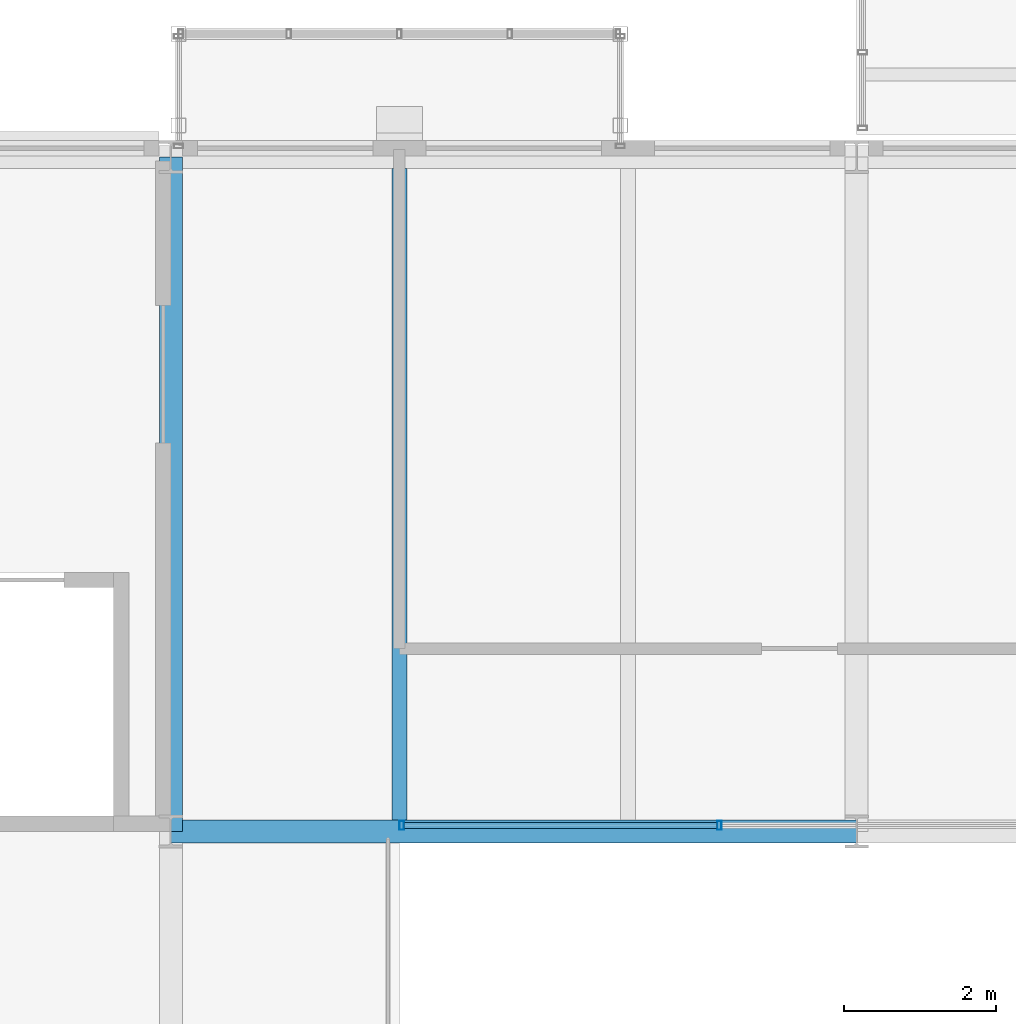
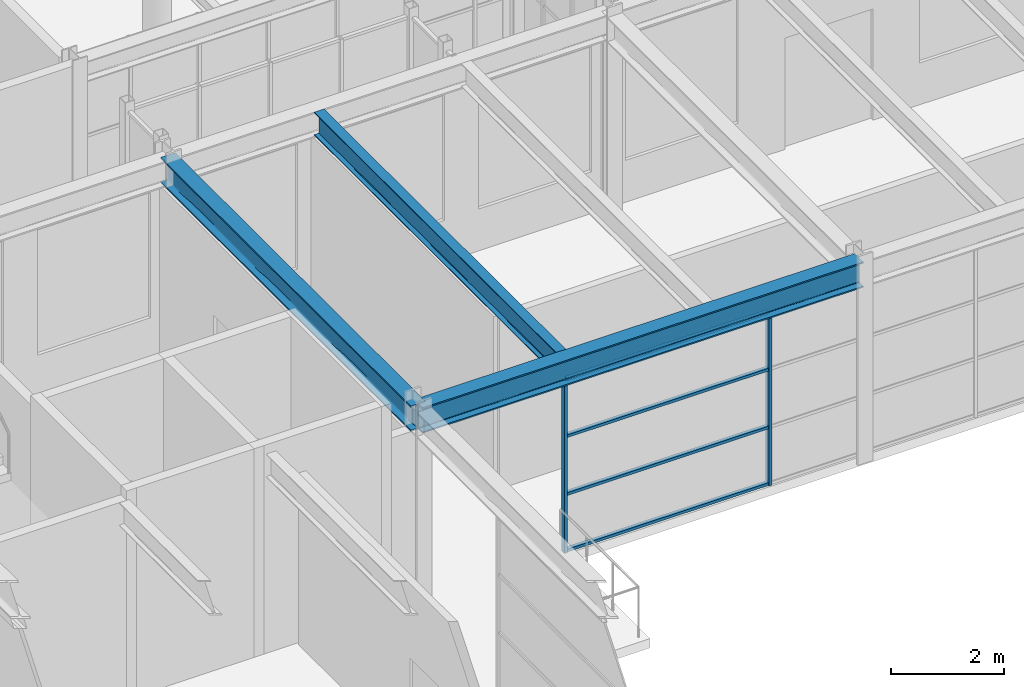
# One storey, part 42 of 149: 6 members, 3 beams, 1 element without a shape of its own.
"""IFC4 building model written with IfcOpenShell, lengths in metres."""

from ifc_helpers import new_model, si_unit, direction, frame, origin, origin_2d, place, context, subcontext, project, spatial, hollow_rectangle, i_section, extrude, material, material_profile, profile_set, type_object, element, aggregate, save


model = new_model("IFC4")

# Units and contexts
model_context = context("Model", 3, precision=1e-05, world=origin(), true_north=direction((0.0, 1.0)))
body_context = subcontext(model_context, "Body", "Model", "MODEL_VIEW")
ifc_project = project(units=[si_unit("LENGTHUNIT", "METRE"), si_unit("AREAUNIT", "SQUARE_METRE"), si_unit("VOLUMEUNIT", "CUBIC_METRE"), si_unit("PLANEANGLEUNIT", "RADIAN"), si_unit("MASSUNIT", "GRAM", prefix="KILO")], contexts=[model_context])

# Site, building, storey
site_placement = place(None, origin())
site = spatial("IfcSite", under=ifc_project, at=site_placement, CompositionType="ELEMENT")
building_placement = place(site_placement, origin())
building = spatial("IfcBuilding", under=site, at=building_placement, Name="Kallimachos Central Library", CompositionType="ELEMENT")
storey_placement = place(building_placement, frame((0.0, 0.0, 9.89990234375)))
storey = spatial("IfcBuildingStorey", under=building, at=storey_placement, Name="L02", CompositionType="ELEMENT", Elevation=9.89990234375)

# Curtain wall, members
ifc_material_1 = material(Name="Aluminium and laminated glass", Category="aluminium")
curtain_wall_type = type_object("IfcCurtainWallType", Name="Atrium glazed screen", PredefinedType="NOTDEFINED", material=ifc_material_1)
curtain_wall_placement = place(storey_placement, origin())
curtain_wall = element("IfcCurtainWall", 1, at=curtain_wall_placement, inside=storey, type_object=curtain_wall_type, Name="L02 atrium screen N", PredefinedType="NOTDEFINED")
ifc_material_2 = material(Name="Anodised aluminium", Category="aluminium")
ifc_material_profile_1 = material_profile(ifc_material_2, hollow_rectangle(XDim=0.06005859375, YDim=0.1201171875, WallThickness=0.00390625, at=origin_2d()), Name="ALU MULLION 60x120")
ifc_profile_set_1 = profile_set([ifc_material_profile_1], Name="Anodised aluminium")
member_type_1 = type_object("IfcMemberType", Name="Atrium screen mullion", PredefinedType="MULLION", material=ifc_profile_set_1)
member_1_placement = place(storey_placement, frame((77.530029296875, 75.080078125, 0.0), z_axis=(0.0, 0.0, 1.0), x_axis=(1.0, 0.0, 0.0)))
member_1 = element("IfcMember", 2, at=member_1_placement, type_object=member_type_1, Name="CW mullion 1", PredefinedType="MULLION", context=body_context, shape_type="SweptSolid", body=[
    extrude(hollow_rectangle(XDim=0.06005859375, YDim=0.1201171875, WallThickness=0.00390625, at=origin_2d()), origin(), (0.0, 0.0, 1.0), 3.75),
])
member_2_placement = place(storey_placement, frame((81.699951171875, 75.080078125, 0.0), z_axis=(0.0, 0.0, 1.0), x_axis=(1.0, 0.0, 0.0)))
member_2 = element("IfcMember", 3, at=member_2_placement, type_object=member_type_1, Name="CW mullion 2", PredefinedType="MULLION", context=body_context, shape_type="SweptSolid", body=[
    extrude(hollow_rectangle(XDim=0.06005859375, YDim=0.1201171875, WallThickness=0.00390625, at=origin_2d()), origin(), (0.0, 0.0, 1.0), 3.75),
])
ifc_material_3 = material(Name="Anodised aluminium", Category="aluminium")
ifc_material_profile_2 = material_profile(ifc_material_3, hollow_rectangle(XDim=0.06005859375, YDim=0.080078125, WallThickness=0.00390625, at=origin_2d()), Name="ALU TRANSOM 60x80")
ifc_profile_set_2 = profile_set([ifc_material_profile_2], Name="Anodised aluminium")
member_type_2 = type_object("IfcMemberType", Name="Atrium screen transom", PredefinedType="USERDEFINED", material=ifc_profile_set_2)
member_3_placement = place(storey_placement, frame((77.56005859375, 75.080078125, 0.030029296875), z_axis=(1.0, 0.0, 0.0), x_axis=(0.0, 0.0, 1.0)))
member_3 = element("IfcMember", 4, at=member_3_placement, type_object=member_type_2, Name="CW transom 1.1", ObjectType="TRANSOM", PredefinedType="USERDEFINED", context=body_context, shape_type="SweptSolid", body=[
    extrude(hollow_rectangle(XDim=0.06005859375, YDim=0.080078125, WallThickness=0.00390625, at=origin_2d()), origin(), (0.0, 0.0, 1.0), 4.10986328125),
])
member_4_placement = place(storey_placement, frame((77.56005859375, 75.080078125, 1.25), z_axis=(1.0, 0.0, 0.0), x_axis=(0.0, 0.0, 1.0)))
member_4 = element("IfcMember", 5, at=member_4_placement, type_object=member_type_2, Name="CW transom 1.2", ObjectType="TRANSOM", PredefinedType="USERDEFINED", context=body_context, shape_type="SweptSolid", body=[
    extrude(hollow_rectangle(XDim=0.06005859375, YDim=0.080078125, WallThickness=0.00390625, at=origin_2d()), origin(), (0.0, 0.0, 1.0), 4.10986328125),
])
member_5_placement = place(storey_placement, frame((77.56005859375, 75.080078125, 2.5), z_axis=(1.0, 0.0, 0.0), x_axis=(0.0, 0.0, 1.0)))
member_5 = element("IfcMember", 6, at=member_5_placement, type_object=member_type_2, Name="CW transom 1.3", ObjectType="TRANSOM", PredefinedType="USERDEFINED", context=body_context, shape_type="SweptSolid", body=[
    extrude(hollow_rectangle(XDim=0.06005859375, YDim=0.080078125, WallThickness=0.00390625, at=origin_2d()), origin(), (0.0, 0.0, 1.0), 4.10986328125),
])
member_6_placement = place(storey_placement, frame((77.56005859375, 75.080078125, 3.72021484375), z_axis=(1.0, 0.0, 0.0), x_axis=(0.0, 0.0, 1.0)))
member_6 = element("IfcMember", 7, at=member_6_placement, type_object=member_type_2, Name="CW transom 1.4", ObjectType="TRANSOM", PredefinedType="USERDEFINED", context=body_context, shape_type="SweptSolid", body=[
    extrude(hollow_rectangle(XDim=0.06005859375, YDim=0.080078125, WallThickness=0.00390625, at=origin_2d()), origin(), (0.0, 0.0, 1.0), 4.10986328125),
])
aggregate(curtain_wall, [member_1, member_2, member_3, member_4, member_5, member_6])

# Beams
ifc_material_4 = material(Name="Steel S355J2", Category="steel")
ifc_material_profile_3 = material_profile(ifc_material_4, i_section(OverallWidth=0.300048828125, OverallDepth=0.550048828125, WebThickness=0.014892578125, FlangeThickness=0.029052734375, FilletRadius=0.027099609375, at=origin_2d()), Name="HEB 550")
ifc_profile_set_3 = profile_set([ifc_material_profile_3], Name="Steel S355J2")
beam_type_1 = type_object("IfcBeamType", Name="HEB 550 beam", PredefinedType="BEAM", material=ifc_profile_set_3)
beam_1_placement = place(storey_placement, frame((74.5, 75.0, 4.025146484375), z_axis=(1.0, 0.0, 0.0), x_axis=(0.0, 1.0, 0.0)))
element("IfcBeam", 8, at=beam_1_placement, inside=storey, type_object=beam_type_1, Name="V4-BEM-L02-001", PredefinedType="BEAM", context=body_context, shape_type="SweptSolid", body=[
    extrude(i_section(OverallWidth=0.300048828125, OverallDepth=0.550048828125, WebThickness=0.014892578125, FlangeThickness=0.029052734375, FilletRadius=0.027099609375, at=origin_2d()), origin(), (0.0, 0.0, 1.0), 9.0),
])
beam_2_placement = place(storey_placement, frame((74.5, 75.0, 4.025146484375), z_axis=(0.0, 1.0, 0.0), x_axis=(-1.0, 0.0, 0.0)))
element("IfcBeam", 9, at=beam_2_placement, inside=storey, type_object=beam_type_1, Name="V4-BEM-L02-010", PredefinedType="BEAM", context=body_context, shape_type="SweptSolid", body=[
    extrude(i_section(OverallWidth=0.300048828125, OverallDepth=0.550048828125, WebThickness=0.014892578125, FlangeThickness=0.029052734375, FilletRadius=0.027099609375, at=origin_2d()), origin(), (0.0, 0.0, 1.0), 8.85009765625),
])
ifc_material_5 = material(Name="Steel S355J2", Category="steel")
ifc_material_profile_4 = material_profile(ifc_material_5, i_section(OverallWidth=0.199951171875, OverallDepth=0.5, WebThickness=0.01025390625, FlangeThickness=0.01611328125, FilletRadius=0.02099609375, at=origin_2d()), Name="IPE 500")
ifc_profile_set_4 = profile_set([ifc_material_profile_4], Name="Steel S355J2")
beam_type_2 = type_object("IfcBeamType", Name="IPE 500 beam", PredefinedType="BEAM", material=ifc_profile_set_4)
beam_3_placement = place(storey_placement, frame((77.5, 75.14990234375, 4.050048828125), z_axis=(0.0, 1.0, 0.0), x_axis=(-1.0, 0.0, 0.0)))
element("IfcBeam", 10, at=beam_3_placement, inside=storey, type_object=beam_type_2, Name="V4-BEM-L02-015", PredefinedType="BEAM", context=body_context, shape_type="SweptSolid", body=[
    extrude(i_section(OverallWidth=0.199951171875, OverallDepth=0.5, WebThickness=0.01025390625, FlangeThickness=0.01611328125, FilletRadius=0.02099609375, at=origin_2d()), origin(), (0.0, 0.0, 1.0), 8.550048828125),
])

save(model, "model.ifc")
